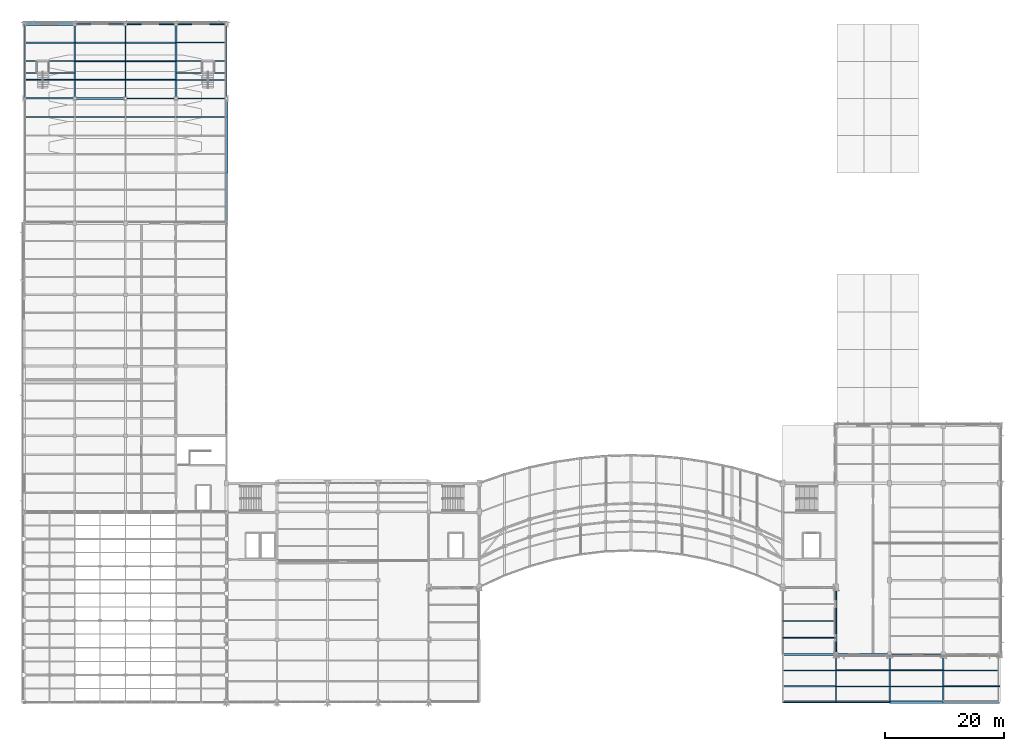
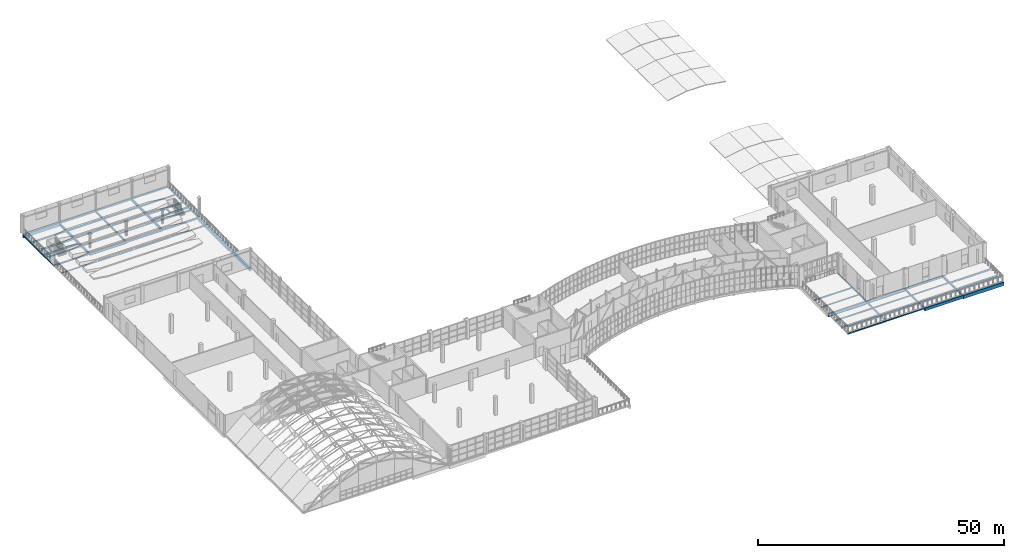
# One storey, part 51 of 86: 58 beams.
"""IFC4 building model written with IfcOpenShell, lengths in metres."""

from ifc_helpers import new_model, si_unit, direction, frame, origin, origin_2d, place, context, subcontext, project, spatial, rectangle, hollow_rectangle, i_section, extrude, material, material_profile, profile_set, type_object, element, save


model = new_model("IFC4")

# Units and contexts
model_context = context("Model", 3, precision=1e-05, world=origin(), true_north=direction((0.0, 1.0)))
body_context = subcontext(model_context, "Body", "Model", "MODEL_VIEW")
ifc_project = project(units=[si_unit("LENGTHUNIT", "METRE"), si_unit("AREAUNIT", "SQUARE_METRE"), si_unit("VOLUMEUNIT", "CUBIC_METRE"), si_unit("PLANEANGLEUNIT", "RADIAN"), si_unit("MASSUNIT", "GRAM", prefix="KILO")], contexts=[model_context])

# Site, building, storey
site_placement = place(None, origin())
site = spatial("IfcSite", under=ifc_project, at=site_placement, CompositionType="ELEMENT")
building_placement = place(site_placement, origin())
building = spatial("IfcBuilding", under=site, at=building_placement, Name="Solvikara Media Centre", CompositionType="ELEMENT")
storey_placement = place(building_placement, frame((0.0, 0.0, 15.0)))
storey = spatial("IfcBuildingStorey", under=building, at=storey_placement, Name="L03", CompositionType="ELEMENT", Elevation=15.0)

# Beams
ifc_material_1 = material(Name="Concrete fc' 35 MPa (C35/45)", Category="concrete")
ifc_material_profile_1 = material_profile(ifc_material_1, rectangle(XDim=0.39990234375, YDim=0.699951171875, at=origin_2d()), Name="RC 400x700")
ifc_profile_set_1 = profile_set([ifc_material_profile_1], Name="Concrete fc' 35 MPa (C35/45)")
beam_type_1 = type_object("IfcBeamType", Name="BM-13", PredefinedType="SPANDREL", material=ifc_profile_set_1)
beam_1_placement = place(storey_placement, frame((145.5, 0.0, -0.6201171875), z_axis=(1.0, 0.0, 0.0), x_axis=(0.0, 1.0, 0.0)))
element("IfcBeam", 1, at=beam_1_placement, inside=storey, type_object=beam_type_1, Name="B-L03-X1161", PredefinedType="SPANDREL", context=body_context, shape_type="SweptSolid", body=[
    extrude(rectangle(XDim=0.39990234375, YDim=0.699951171875, at=origin_2d()), origin(), (0.0, 0.0, 1.0), 9.0),
])
beam_2_placement = place(storey_placement, frame((34.0, 80.5, -0.6201171875), z_axis=(0.0, 1.0, 0.0), x_axis=(-1.0, 0.0, 0.0)))
element("IfcBeam", 2, at=beam_2_placement, inside=storey, type_object=beam_type_1, Name="B-L03-Y1261", PredefinedType="SPANDREL", context=body_context, shape_type="SweptSolid", body=[
    extrude(rectangle(XDim=0.39990234375, YDim=0.699951171875, at=origin_2d()), origin(), (0.0, 0.0, 1.0), 8.5),
])
ifc_material_profile_2 = material_profile(ifc_material_1, rectangle(XDim=0.449951171875, YDim=0.85009765625, at=origin_2d()), Name="RC 450x850")
ifc_profile_set_2 = profile_set([ifc_material_profile_2], Name="Concrete fc' 35 MPa (C35/45)")
beam_type_2 = type_object("IfcBeamType", Name="BM-14", PredefinedType="SPANDREL", material=ifc_profile_set_2)
beam_3_placement = place(storey_placement, frame((154.5, 0.0, -0.695068359375), z_axis=(1.0, 0.0, 0.0), x_axis=(0.0, 1.0, 0.0)))
element("IfcBeam", 3, at=beam_3_placement, inside=storey, type_object=beam_type_2, Name="B-L03-X1162", PredefinedType="SPANDREL", context=body_context, shape_type="SweptSolid", body=[
    extrude(rectangle(XDim=0.449951171875, YDim=0.85009765625, at=origin_2d()), origin(), (0.0, 0.0, 1.0), 9.5),
])
beam_4_placement = place(storey_placement, frame((0.0, 114.0, -0.695068359375), z_axis=(1.0, 0.0, 0.0), x_axis=(0.0, 1.0, 0.0)))
element("IfcBeam", 4, at=beam_4_placement, inside=storey, type_object=beam_type_2, Name="B-L03-X1218", PredefinedType="SPANDREL", context=body_context, shape_type="SweptSolid", body=[
    extrude(rectangle(XDim=0.449951171875, YDim=0.85009765625, at=origin_2d()), origin(), (0.0, 0.0, 1.0), 8.5),
])
beam_5_placement = place(storey_placement, frame((34.0, 89.0, -0.695068359375), z_axis=(0.0, 1.0, 0.0), x_axis=(-1.0, 0.0, 0.0)))
element("IfcBeam", 5, at=beam_5_placement, inside=storey, type_object=beam_type_2, Name="B-L03-Y1262", PredefinedType="SPANDREL", context=body_context, shape_type="SweptSolid", body=[
    extrude(rectangle(XDim=0.449951171875, YDim=0.85009765625, at=origin_2d()), origin(), (0.0, 0.0, 1.0), 12.5),
])
ifc_material_2 = material(Name="Steel S355JR", Category="steel")
ifc_material_profile_3 = material_profile(ifc_material_2, i_section(OverallWidth=0.300048828125, OverallDepth=0.800048828125, WebThickness=0.013916015625, FlangeThickness=0.02587890625, at=origin_2d()), Name="WF 800x300x14x26")
ifc_profile_set_3 = profile_set([ifc_material_profile_3], Name="Steel S355JR")
beam_type_3 = type_object("IfcBeamType", Name="BM-16", PredefinedType="BEAM", material=ifc_profile_set_3)
beam_6_placement = place(storey_placement, frame((127.5, 8.0, -0.672119140625), z_axis=(1.0, 0.0, 0.0), x_axis=(0.0, 1.0, 0.0)))
element("IfcBeam", 6, at=beam_6_placement, inside=storey, type_object=beam_type_3, Name="B-L03-X1163", PredefinedType="BEAM", context=body_context, shape_type="SweptSolid", body=[
    extrude(i_section(OverallWidth=0.300048828125, OverallDepth=0.800048828125, WebThickness=0.013916015625, FlangeThickness=0.02587890625, at=origin_2d()), origin(), (0.0, 0.0, 1.0), 9.0),
])
ifc_material_profile_4 = material_profile(ifc_material_2, i_section(OverallWidth=0.300048828125, OverallDepth=0.699951171875, WebThickness=0.012939453125, FlangeThickness=0.02392578125, at=origin_2d()), Name="WF 700x300x13x24")
ifc_profile_set_4 = profile_set([ifc_material_profile_4], Name="Steel S355JR")
beam_type_4 = type_object("IfcBeamType", Name="BM-17", PredefinedType="BEAM", material=ifc_profile_set_4)
beam_7_placement = place(storey_placement, frame((136.5, 8.0, -0.6220703125), z_axis=(1.0, 0.0, 0.0), x_axis=(0.0, 1.0, 0.0)))
element("IfcBeam", 7, at=beam_7_placement, inside=storey, type_object=beam_type_4, Name="B-L03-X1164", PredefinedType="BEAM", context=body_context, shape_type="SweptSolid", body=[
    extrude(i_section(OverallWidth=0.300048828125, OverallDepth=0.699951171875, WebThickness=0.012939453125, FlangeThickness=0.02392578125, at=origin_2d()), origin(), (0.0, 0.0, 1.0), 9.0),
])
ifc_material_profile_5 = material_profile(ifc_material_2, i_section(OverallWidth=0.199951171875, OverallDepth=0.5, WebThickness=0.010009765625, FlangeThickness=0.01611328125, at=origin_2d()), Name="WF 500x200x10x16")
ifc_profile_set_5 = profile_set([ifc_material_profile_5], Name="Steel S355JR")
beam_type_5 = type_object("IfcBeamType", Name="BM-19", PredefinedType="BEAM", material=ifc_profile_set_5)
beam_8_placement = place(storey_placement, frame((145.5, 8.0, -0.52197265625), z_axis=(1.0, 0.0, 0.0), x_axis=(0.0, 1.0, 0.0)))
element("IfcBeam", 8, at=beam_8_placement, inside=storey, type_object=beam_type_5, Name="B-L03-X1165", PredefinedType="BEAM", context=body_context, shape_type="SweptSolid", body=[
    extrude(i_section(OverallWidth=0.199951171875, OverallDepth=0.5, WebThickness=0.010009765625, FlangeThickness=0.01611328125, at=origin_2d()), origin(), (0.0, 0.0, 1.0), 9.0),
])
beam_9_placement = place(storey_placement, frame((145.5, 0.0, -0.52197265625), z_axis=(0.0, 1.0, 0.0), x_axis=(-1.0, 0.0, 0.0)))
element("IfcBeam", 9, at=beam_9_placement, inside=storey, type_object=beam_type_5, Name="B-L03-Y1291", PredefinedType="BEAM", context=body_context, shape_type="SweptSolid", body=[
    extrude(i_section(OverallWidth=0.199951171875, OverallDepth=0.5, WebThickness=0.010009765625, FlangeThickness=0.01611328125, at=origin_2d()), origin(), (0.0, 0.0, 1.0), 8.0),
])
ifc_material_profile_6 = material_profile(ifc_material_2, i_section(OverallWidth=0.199951171875, OverallDepth=0.449951171875, WebThickness=0.009033203125, FlangeThickness=0.013916015625, at=origin_2d()), Name="WF 450x200x9x14")
ifc_profile_set_6 = profile_set([ifc_material_profile_6], Name="Steel S355JR")
beam_type_6 = type_object("IfcBeamType", Name="BM-20", PredefinedType="BEAM", material=ifc_profile_set_6)
for number, where, z_axis, x_axis, name in (
    (10, (0.0, 105.800048828125, -0.4970703125), (1.0, 0.0, 0.0), (0.0, 1.0, 0.0), "B-VOM-AMPH-W1"),
    (11, (0.0, 107.800048828125, -0.4970703125), (1.0, 0.0, 0.0), (0.0, 1.0, 0.0), "B-VOM-AMPH-W2"),
    (12, (25.580078125, 105.800048828125, -0.4970703125), (1.0, 0.0, 0.0), (0.0, 1.0, 0.0), "B-VOM-AMPH-E1"),
    (13, (25.580078125, 107.800048828125, -0.4970703125), (1.0, 0.0, 0.0), (0.0, 1.0, 0.0), "B-VOM-AMPH-E2"),
):
    element("IfcBeam", number, at=place(storey_placement, frame(where, z_axis=z_axis, x_axis=x_axis)), inside=storey, type_object=beam_type_6, Name=name, PredefinedType="BEAM", context=body_context, shape_type="SweptSolid", body=[
        extrude(i_section(OverallWidth=0.199951171875, OverallDepth=0.449951171875, WebThickness=0.009033203125, FlangeThickness=0.013916015625, at=origin_2d()), origin(), (0.0, 0.0, 1.0), 8.419921875),
    ])
for number, where, z_axis, x_axis, name in (
    (14, (2.10009765625, 105.8798828125, -0.4970703125), (0.0, 1.0, 0.0), (-1.0, 0.0, 0.0), "BVW-ST-AMPH-W-W"),
    (15, (4.10009765625, 105.8798828125, -0.4970703125), (0.0, 1.0, 0.0), (-1.0, 0.0, 0.0), "BVW-ST-AMPH-W-E"),
    (16, (29.89990234375, 105.8798828125, -0.4970703125), (0.0, 1.0, 0.0), (-1.0, 0.0, 0.0), "BVW-ST-AMPH-E-W"),
    (17, (31.89990234375, 105.8798828125, -0.4970703125), (0.0, 1.0, 0.0), (-1.0, 0.0, 0.0), "BVW-ST-AMPH-E-E"),
):
    element("IfcBeam", number, at=place(storey_placement, frame(where, z_axis=z_axis, x_axis=x_axis)), inside=storey, type_object=beam_type_6, Name=name, PredefinedType="BEAM", context=body_context, shape_type="SweptSolid", body=[
        extrude(i_section(OverallWidth=0.199951171875, OverallDepth=0.449951171875, WebThickness=0.009033203125, FlangeThickness=0.013916015625, at=origin_2d()), origin(), (0.0, 0.0, 1.0), 1.840087890625),
    ])
ifc_material_profile_7 = material_profile(ifc_material_2, i_section(OverallWidth=0.199951171875, OverallDepth=0.39990234375, WebThickness=0.008056640625, FlangeThickness=0.012939453125, at=origin_2d()), Name="WF 400x200x8x13")
ifc_profile_set_7 = profile_set([ifc_material_profile_7], Name="Steel S355JR")
beam_type_7 = type_object("IfcBeamType", Name="BM-21", PredefinedType="JOIST", material=ifc_profile_set_7)
beam_10_placement = place(storey_placement, frame((0.0, 110.875, -0.471923828125), z_axis=(1.0, 0.0, 0.0), x_axis=(0.0, 1.0, 0.0)))
element("IfcBeam", 18, at=beam_10_placement, inside=storey, type_object=beam_type_7, Name="J-L03-1321", PredefinedType="JOIST", context=body_context, shape_type="SweptSolid", body=[
    extrude(i_section(OverallWidth=0.199951171875, OverallDepth=0.39990234375, WebThickness=0.008056640625, FlangeThickness=0.012939453125, at=origin_2d()), origin(), (0.0, 0.0, 1.0), 8.422119140625),
])
beam_11_placement = place(storey_placement, frame((17.077880859375, 110.875, -0.471923828125), z_axis=(1.0, 0.0, 0.0), x_axis=(0.0, 1.0, 0.0)))
element("IfcBeam", 19, at=beam_11_placement, inside=storey, type_object=beam_type_7, Name="J-L03-1361", PredefinedType="JOIST", context=body_context, shape_type="SweptSolid", body=[
    extrude(i_section(OverallWidth=0.199951171875, OverallDepth=0.39990234375, WebThickness=0.008056640625, FlangeThickness=0.012939453125, at=origin_2d()), origin(), (0.0, 0.0, 1.0), 8.34423828125),
])
beam_12_placement = place(storey_placement, frame((154.577880859375, 5.3330078125, -0.471923828125), z_axis=(1.0, 0.0, 0.0), x_axis=(0.0, 1.0, 0.0)))
element("IfcBeam", 20, at=beam_12_placement, inside=storey, type_object=beam_type_7, Name="J-L03-1425", PredefinedType="JOIST", context=body_context, shape_type="SweptSolid", body=[
    extrude(i_section(OverallWidth=0.199951171875, OverallDepth=0.39990234375, WebThickness=0.008056640625, FlangeThickness=0.012939453125, at=origin_2d()), origin(), (0.0, 0.0, 1.0), 9.422119140625),
])
ifc_material_profile_8 = material_profile(ifc_material_2, i_section(OverallWidth=0.175048828125, OverallDepth=0.35009765625, WebThickness=0.007080078125, FlangeThickness=0.010986328125, at=origin_2d()), Name="WF 350x175x7x11")
ifc_profile_set_8 = profile_set([ifc_material_profile_8], Name="Steel S355JR")
beam_type_8 = type_object("IfcBeamType", Name="BM-22", PredefinedType="JOIST", material=ifc_profile_set_8)
beam_13_placement = place(storey_placement, frame((8.577880859375, 98.375, -0.447021484375), z_axis=(1.0, 0.0, 0.0), x_axis=(0.0, 1.0, 0.0)))
element("IfcBeam", 21, at=beam_13_placement, inside=storey, type_object=beam_type_8, Name="J-L03-1338", PredefinedType="JOIST", context=body_context, shape_type="SweptSolid", body=[
    extrude(i_section(OverallWidth=0.175048828125, OverallDepth=0.35009765625, WebThickness=0.007080078125, FlangeThickness=0.010986328125, at=origin_2d()), origin(), (0.0, 0.0, 1.0), 8.34423828125),
])
beam_14_placement = place(storey_placement, frame((136.577880859375, 2.6669921875, -0.447021484375), z_axis=(1.0, 0.0, 0.0), x_axis=(0.0, 1.0, 0.0)))
element("IfcBeam", 22, at=beam_14_placement, inside=storey, type_object=beam_type_8, Name="J-L03-1410", PredefinedType="JOIST", context=body_context, shape_type="SweptSolid", body=[
    extrude(i_section(OverallWidth=0.175048828125, OverallDepth=0.35009765625, WebThickness=0.007080078125, FlangeThickness=0.010986328125, at=origin_2d()), origin(), (0.0, 0.0, 1.0), 8.84423828125),
])
ifc_material_profile_9 = material_profile(ifc_material_2, i_section(OverallWidth=0.14990234375, OverallDepth=0.300048828125, WebThickness=0.006591796875, FlangeThickness=0.009033203125, at=origin_2d()), Name="WF 300x150x6.5x9")
ifc_profile_set_9 = profile_set([ifc_material_profile_9], Name="Steel S355JR")
beam_type_9 = type_object("IfcBeamType", Name="BM-23", PredefinedType="JOIST", material=ifc_profile_set_9)
beam_15_placement = place(storey_placement, frame((8.577880859375, 104.625, -0.422119140625), z_axis=(1.0, 0.0, 0.0), x_axis=(0.0, 1.0, 0.0)))
element("IfcBeam", 23, at=beam_15_placement, inside=storey, type_object=beam_type_9, Name="J-L03-1339", PredefinedType="JOIST", context=body_context, shape_type="SweptSolid", body=[
    extrude(i_section(OverallWidth=0.14990234375, OverallDepth=0.300048828125, WebThickness=0.006591796875, FlangeThickness=0.009033203125, at=origin_2d()), origin(), (0.0, 0.0, 1.0), 8.34423828125),
])
beam_16_placement = place(storey_placement, frame((136.577880859375, 5.3330078125, -0.422119140625), z_axis=(1.0, 0.0, 0.0), x_axis=(0.0, 1.0, 0.0)))
element("IfcBeam", 24, at=beam_16_placement, inside=storey, type_object=beam_type_9, Name="J-L03-1411", PredefinedType="JOIST", context=body_context, shape_type="SweptSolid", body=[
    extrude(i_section(OverallWidth=0.14990234375, OverallDepth=0.300048828125, WebThickness=0.006591796875, FlangeThickness=0.009033203125, at=origin_2d()), origin(), (0.0, 0.0, 1.0), 8.84423828125),
])
ifc_material_profile_10 = material_profile(ifc_material_2, i_section(OverallWidth=0.125, OverallDepth=0.25, WebThickness=0.006103515625, FlangeThickness=0.009033203125, at=origin_2d()), Name="WF 250x125x6x9")
ifc_profile_set_10 = profile_set([ifc_material_profile_10], Name="Steel S355JR")
beam_type_10 = type_object("IfcBeamType", Name="BM-24", PredefinedType="JOIST", material=ifc_profile_set_10)
for number, where, z_axis, x_axis, name in (
    (25, (8.577880859375, 107.75, -0.39697265625), (1.0, 0.0, 0.0), (0.0, 1.0, 0.0), "J-L03-1340"),
    (26, (25.577880859375, 98.375, -0.39697265625), (1.0, 0.0, 0.0), (0.0, 1.0, 0.0), "J-L03-1372"),
):
    element("IfcBeam", number, at=place(storey_placement, frame(where, z_axis=z_axis, x_axis=x_axis)), inside=storey, type_object=beam_type_10, Name=name, PredefinedType="JOIST", context=body_context, shape_type="SweptSolid", body=[
        extrude(i_section(OverallWidth=0.125, OverallDepth=0.25, WebThickness=0.006103515625, FlangeThickness=0.009033203125, at=origin_2d()), origin(), (0.0, 0.0, 1.0), 8.34423828125),
    ])
ifc_material_profile_11 = material_profile(ifc_material_2, i_section(OverallWidth=0.300048828125, OverallDepth=0.587890625, WebThickness=0.011962890625, FlangeThickness=0.02001953125, at=origin_2d()), Name="H 588x300x12x20")
ifc_profile_set_11 = profile_set([ifc_material_profile_11], Name="Steel S355JR")
beam_type_11 = type_object("IfcBeamType", Name="BM-26", PredefinedType="BEAM", material=ifc_profile_set_11)
for number, where, z_axis, x_axis, name in (
    (27, (8.5, 101.5, -0.56591796875), (0.0, 1.0, 0.0), (-1.0, 0.0, 0.0), "B-L03-Y1238"),
    (28, (25.5, 101.5, -0.56591796875), (0.0, 1.0, 0.0), (-1.0, 0.0, 0.0), "B-L03-Y1252"),
):
    element("IfcBeam", number, at=place(storey_placement, frame(where, z_axis=z_axis, x_axis=x_axis)), inside=storey, type_object=beam_type_11, Name=name, PredefinedType="BEAM", context=body_context, shape_type="SweptSolid", body=[
        extrude(i_section(OverallWidth=0.300048828125, OverallDepth=0.587890625, WebThickness=0.011962890625, FlangeThickness=0.02001953125, at=origin_2d()), origin(), (0.0, 0.0, 1.0), 12.5),
    ])
ifc_material_profile_12 = material_profile(ifc_material_2, i_section(OverallWidth=0.300048828125, OverallDepth=0.488037109375, WebThickness=0.010986328125, FlangeThickness=0.01806640625, at=origin_2d()), Name="H 488x300x11x18")
ifc_profile_set_12 = profile_set([ifc_material_profile_12], Name="Steel S355JR")
beam_type_12 = type_object("IfcBeamType", Name="BM-27", PredefinedType="BEAM", material=ifc_profile_set_12)
beam_17_placement = place(storey_placement, frame((154.5, 0.0, -0.51611328125), z_axis=(0.0, 1.0, 0.0), x_axis=(-1.0, 0.0, 0.0)))
element("IfcBeam", 29, at=beam_17_placement, inside=storey, type_object=beam_type_12, Name="B-L03-Y1295", PredefinedType="BEAM", context=body_context, shape_type="SweptSolid", body=[
    extrude(i_section(OverallWidth=0.300048828125, OverallDepth=0.488037109375, WebThickness=0.010986328125, FlangeThickness=0.01806640625, at=origin_2d()), origin(), (0.0, 0.0, 1.0), 8.0),
])
ifc_material_profile_13 = material_profile(ifc_material_2, i_section(OverallWidth=0.25, OverallDepth=0.340087890625, WebThickness=0.009033203125, FlangeThickness=0.013916015625, at=origin_2d()), Name="H 340x250x9x14")
ifc_profile_set_13 = profile_set([ifc_material_profile_13], Name="Steel S355JR")
beam_type_13 = type_object("IfcBeamType", Name="BM-30", PredefinedType="BEAM", material=ifc_profile_set_13)
beam_18_placement = place(storey_placement, frame((0.0, 101.5, -0.44189453125), z_axis=(1.0, 0.0, 0.0), x_axis=(0.0, 1.0, 0.0)))
element("IfcBeam", 30, at=beam_18_placement, inside=storey, type_object=beam_type_13, Name="B-L03-X1214", PredefinedType="BEAM", context=body_context, shape_type="SweptSolid", body=[
    extrude(i_section(OverallWidth=0.25, OverallDepth=0.340087890625, WebThickness=0.009033203125, FlangeThickness=0.013916015625, at=origin_2d()), origin(), (0.0, 0.0, 1.0), 8.5),
])
ifc_material_profile_14 = material_profile(ifc_material_2, hollow_rectangle(XDim=0.199951171875, YDim=0.39990234375, WallThickness=0.011962890625, at=origin_2d()), Name="RHS 400x200x12")
ifc_profile_set_14 = profile_set([ifc_material_profile_14], Name="Steel S355JR")
beam_type_14 = type_object("IfcBeamType", Name="BM-33", PredefinedType="SPANDREL", material=ifc_profile_set_14)
beam_19_placement = place(storey_placement, frame((8.5, 114.0, -0.471923828125), z_axis=(1.0, 0.0, 0.0), x_axis=(0.0, 1.0, 0.0)))
element("IfcBeam", 31, at=beam_19_placement, inside=storey, type_object=beam_type_14, Name="B-L03-X1219", PredefinedType="SPANDREL", context=body_context, shape_type="SweptSolid", body=[
    extrude(hollow_rectangle(XDim=0.199951171875, YDim=0.39990234375, WallThickness=0.011962890625, at=origin_2d()), origin(), (0.0, 0.0, 1.0), 8.5),
])
beam_20_placement = place(storey_placement, frame((34.0, 101.5, -0.471923828125), z_axis=(0.0, 1.0, 0.0), x_axis=(-1.0, 0.0, 0.0)))
element("IfcBeam", 32, at=beam_20_placement, inside=storey, type_object=beam_type_14, Name="B-L03-Y1263", PredefinedType="SPANDREL", context=body_context, shape_type="SweptSolid", body=[
    extrude(hollow_rectangle(XDim=0.199951171875, YDim=0.39990234375, WallThickness=0.011962890625, at=origin_2d()), origin(), (0.0, 0.0, 1.0), 12.5),
])
beam_21_placement = place(storey_placement, frame((136.5, 0.0, -0.471923828125), z_axis=(0.0, 1.0, 0.0), x_axis=(-1.0, 0.0, 0.0)))
element("IfcBeam", 33, at=beam_21_placement, inside=storey, type_object=beam_type_14, Name="B-L03-Y1287", PredefinedType="SPANDREL", context=body_context, shape_type="SweptSolid", body=[
    extrude(hollow_rectangle(XDim=0.199951171875, YDim=0.39990234375, WallThickness=0.011962890625, at=origin_2d()), origin(), (0.0, 0.0, 1.0), 8.0),
])
ifc_material_profile_15 = material_profile(ifc_material_2, hollow_rectangle(XDim=0.175048828125, YDim=0.35009765625, WallThickness=0.010009765625, at=origin_2d()), Name="RHS 350x175x10")
ifc_profile_set_15 = profile_set([ifc_material_profile_15], Name="Steel S355JR")
beam_type_15 = type_object("IfcBeamType", Name="BM-34", PredefinedType="SPANDREL", material=ifc_profile_set_15)
beam_22_placement = place(storey_placement, frame((17.0, 114.0, -0.447021484375), z_axis=(1.0, 0.0, 0.0), x_axis=(0.0, 1.0, 0.0)))
element("IfcBeam", 34, at=beam_22_placement, inside=storey, type_object=beam_type_15, Name="B-L03-X1220", PredefinedType="SPANDREL", context=body_context, shape_type="SweptSolid", body=[
    extrude(hollow_rectangle(XDim=0.175048828125, YDim=0.35009765625, WallThickness=0.010009765625, at=origin_2d()), origin(), (0.0, 0.0, 1.0), 8.5),
])
beam_23_placement = place(storey_placement, frame((136.5, 8.0, -0.447021484375), z_axis=(0.0, 1.0, 0.0), x_axis=(-1.0, 0.0, 0.0)))
element("IfcBeam", 35, at=beam_23_placement, inside=storey, type_object=beam_type_15, Name="B-L03-Y1288", PredefinedType="SPANDREL", context=body_context, shape_type="SweptSolid", body=[
    extrude(hollow_rectangle(XDim=0.175048828125, YDim=0.35009765625, WallThickness=0.010009765625, at=origin_2d()), origin(), (0.0, 0.0, 1.0), 11.323974609375),
])
ifc_material_profile_16 = material_profile(ifc_material_2, hollow_rectangle(XDim=0.14990234375, YDim=0.300048828125, WallThickness=0.010009765625, at=origin_2d()), Name="RHS 300x150x10")
ifc_profile_set_16 = profile_set([ifc_material_profile_16], Name="Steel S355JR")
beam_type_16 = type_object("IfcBeamType", Name="BM-35", PredefinedType="BEAM", material=ifc_profile_set_16)
beam_24_placement = place(storey_placement, frame((25.5, 114.0, -0.422119140625), z_axis=(1.0, 0.0, 0.0), x_axis=(0.0, 1.0, 0.0)))
element("IfcBeam", 36, at=beam_24_placement, inside=storey, type_object=beam_type_16, Name="B-L03-X1221", PredefinedType="BEAM", context=body_context, shape_type="SweptSolid", body=[
    extrude(hollow_rectangle(XDim=0.14990234375, YDim=0.300048828125, WallThickness=0.010009765625, at=origin_2d()), origin(), (0.0, 0.0, 1.0), 8.5),
])
ifc_material_profile_17 = material_profile(ifc_material_2, i_section(OverallWidth=0.198974609375, OverallDepth=0.39599609375, WebThickness=0.007080078125, FlangeThickness=0.010986328125, at=origin_2d()), Name="WF 396x199x7x11")
ifc_profile_set_17 = profile_set([ifc_material_profile_17], Name="Steel S355JR")
beam_type_17 = type_object("IfcBeamType", Name="BM-37", PredefinedType="JOIST", material=ifc_profile_set_17)
for number, where, z_axis, x_axis, name in (
    (37, (8.577880859375, 110.875, -0.469970703125), (1.0, 0.0, 0.0), (0.0, 1.0, 0.0), "J-L03-1341"),
    (38, (25.577880859375, 104.625, -0.469970703125), (1.0, 0.0, 0.0), (0.0, 1.0, 0.0), "J-L03-1373"),
):
    element("IfcBeam", number, at=place(storey_placement, frame(where, z_axis=z_axis, x_axis=x_axis)), inside=storey, type_object=beam_type_17, Name=name, PredefinedType="JOIST", context=body_context, shape_type="SweptSolid", body=[
        extrude(i_section(OverallWidth=0.198974609375, OverallDepth=0.39599609375, WebThickness=0.007080078125, FlangeThickness=0.010986328125, at=origin_2d()), origin(), (0.0, 0.0, 1.0), 8.34423828125),
    ])
beam_25_placement = place(storey_placement, frame((127.5, 2.6669921875, -0.469970703125), z_axis=(1.0, 0.0, 0.0), x_axis=(0.0, 1.0, 0.0)))
element("IfcBeam", 39, at=beam_25_placement, inside=storey, type_object=beam_type_17, Name="J-L03-1405", PredefinedType="JOIST", context=body_context, shape_type="SweptSolid", body=[
    extrude(i_section(OverallWidth=0.198974609375, OverallDepth=0.39599609375, WebThickness=0.007080078125, FlangeThickness=0.010986328125, at=origin_2d()), origin(), (0.0, 0.0, 1.0), 8.922119140625),
])
ifc_material_profile_18 = material_profile(ifc_material_2, i_section(OverallWidth=0.174072265625, OverallDepth=0.345947265625, WebThickness=0.006103515625, FlangeThickness=0.009033203125, at=origin_2d()), Name="WF 346x174x6x9")
ifc_profile_set_18 = profile_set([ifc_material_profile_18], Name="Steel S355JR")
beam_type_18 = type_object("IfcBeamType", Name="BM-38", PredefinedType="JOIST", material=ifc_profile_set_18)
for number, where, z_axis, x_axis, name in (
    (40, (17.077880859375, 98.375, -0.445068359375), (1.0, 0.0, 0.0), (0.0, 1.0, 0.0), "J-L03-1358"),
    (41, (25.577880859375, 110.875, -0.445068359375), (1.0, 0.0, 0.0), (0.0, 1.0, 0.0), "J-L03-1374"),
):
    element("IfcBeam", number, at=place(storey_placement, frame(where, z_axis=z_axis, x_axis=x_axis)), inside=storey, type_object=beam_type_18, Name=name, PredefinedType="JOIST", context=body_context, shape_type="SweptSolid", body=[
        extrude(i_section(OverallWidth=0.174072265625, OverallDepth=0.345947265625, WebThickness=0.006103515625, FlangeThickness=0.009033203125, at=origin_2d()), origin(), (0.0, 0.0, 1.0), 8.34423828125),
    ])
beam_26_placement = place(storey_placement, frame((127.5, 5.3330078125, -0.445068359375), z_axis=(1.0, 0.0, 0.0), x_axis=(0.0, 1.0, 0.0)))
element("IfcBeam", 42, at=beam_26_placement, inside=storey, type_object=beam_type_18, Name="J-L03-1406", PredefinedType="JOIST", context=body_context, shape_type="SweptSolid", body=[
    extrude(i_section(OverallWidth=0.174072265625, OverallDepth=0.345947265625, WebThickness=0.006103515625, FlangeThickness=0.009033203125, at=origin_2d()), origin(), (0.0, 0.0, 1.0), 8.922119140625),
])
beam_27_placement = place(storey_placement, frame((145.577880859375, 2.6669921875, -0.445068359375), z_axis=(1.0, 0.0, 0.0), x_axis=(0.0, 1.0, 0.0)))
element("IfcBeam", 43, at=beam_27_placement, inside=storey, type_object=beam_type_18, Name="J-L03-1414", PredefinedType="JOIST", context=body_context, shape_type="SweptSolid", body=[
    extrude(i_section(OverallWidth=0.174072265625, OverallDepth=0.345947265625, WebThickness=0.006103515625, FlangeThickness=0.009033203125, at=origin_2d()), origin(), (0.0, 0.0, 1.0), 8.84423828125),
])
ifc_material_profile_19 = material_profile(ifc_material_2, i_section(OverallWidth=0.14892578125, OverallDepth=0.298095703125, WebThickness=0.005615234375, FlangeThickness=0.008056640625, at=origin_2d()), Name="WF 298x149x5.5x8")
ifc_profile_set_19 = profile_set([ifc_material_profile_19], Name="Steel S355JR")
beam_type_19 = type_object("IfcBeamType", Name="BM-39", PredefinedType="JOIST", material=ifc_profile_set_19)
beam_28_placement = place(storey_placement, frame((0.0, 98.375, -0.4208984375), z_axis=(1.0, 0.0, 0.0), x_axis=(0.0, 1.0, 0.0)))
element("IfcBeam", 44, at=beam_28_placement, inside=storey, type_object=beam_type_19, Name="J-L03-1319", PredefinedType="JOIST", context=body_context, shape_type="SweptSolid", body=[
    extrude(i_section(OverallWidth=0.14892578125, OverallDepth=0.298095703125, WebThickness=0.005615234375, FlangeThickness=0.008056640625, at=origin_2d()), origin(), (0.0, 0.0, 1.0), 8.422119140625),
])
beam_29_placement = place(storey_placement, frame((17.077880859375, 104.625, -0.4208984375), z_axis=(1.0, 0.0, 0.0), x_axis=(0.0, 1.0, 0.0)))
element("IfcBeam", 45, at=beam_29_placement, inside=storey, type_object=beam_type_19, Name="J-L03-1359", PredefinedType="JOIST", context=body_context, shape_type="SweptSolid", body=[
    extrude(i_section(OverallWidth=0.14892578125, OverallDepth=0.298095703125, WebThickness=0.005615234375, FlangeThickness=0.008056640625, at=origin_2d()), origin(), (0.0, 0.0, 1.0), 8.34423828125),
])
beam_30_placement = place(storey_placement, frame((127.5, 10.8310546875, -0.4208984375), z_axis=(1.0, 0.0, 0.0), x_axis=(0.0, 1.0, 0.0)))
element("IfcBeam", 46, at=beam_30_placement, inside=storey, type_object=beam_type_19, Name="J-L03-1407", PredefinedType="JOIST", context=body_context, shape_type="SweptSolid", body=[
    extrude(i_section(OverallWidth=0.14892578125, OverallDepth=0.298095703125, WebThickness=0.005615234375, FlangeThickness=0.008056640625, at=origin_2d()), origin(), (0.0, 0.0, 1.0), 8.922119140625),
])
beam_31_placement = place(storey_placement, frame((145.577880859375, 5.3330078125, -0.4208984375), z_axis=(1.0, 0.0, 0.0), x_axis=(0.0, 1.0, 0.0)))
element("IfcBeam", 47, at=beam_31_placement, inside=storey, type_object=beam_type_19, Name="J-L03-1415", PredefinedType="JOIST", context=body_context, shape_type="SweptSolid", body=[
    extrude(i_section(OverallWidth=0.14892578125, OverallDepth=0.298095703125, WebThickness=0.005615234375, FlangeThickness=0.008056640625, at=origin_2d()), origin(), (0.0, 0.0, 1.0), 8.84423828125),
])
ifc_material_profile_20 = material_profile(ifc_material_2, i_section(OverallWidth=0.1240234375, OverallDepth=0.248046875, WebThickness=0.0048828125, FlangeThickness=0.008056640625, at=origin_2d()), Name="WF 248x124x5x8")
ifc_profile_set_20 = profile_set([ifc_material_profile_20], Name="Steel S355JR")
beam_type_20 = type_object("IfcBeamType", Name="BM-40", PredefinedType="JOIST", material=ifc_profile_set_20)
beam_32_placement = place(storey_placement, frame((0.0, 104.625, -0.39599609375), z_axis=(1.0, 0.0, 0.0), x_axis=(0.0, 1.0, 0.0)))
element("IfcBeam", 48, at=beam_32_placement, inside=storey, type_object=beam_type_20, Name="J-L03-1320", PredefinedType="JOIST", context=body_context, shape_type="SweptSolid", body=[
    extrude(i_section(OverallWidth=0.1240234375, OverallDepth=0.248046875, WebThickness=0.0048828125, FlangeThickness=0.008056640625, at=origin_2d()), origin(), (0.0, 0.0, 1.0), 8.422119140625),
])
beam_33_placement = place(storey_placement, frame((17.077880859375, 107.75, -0.39599609375), z_axis=(1.0, 0.0, 0.0), x_axis=(0.0, 1.0, 0.0)))
element("IfcBeam", 49, at=beam_33_placement, inside=storey, type_object=beam_type_20, Name="J-L03-1360", PredefinedType="JOIST", context=body_context, shape_type="SweptSolid", body=[
    extrude(i_section(OverallWidth=0.1240234375, OverallDepth=0.248046875, WebThickness=0.0048828125, FlangeThickness=0.008056640625, at=origin_2d()), origin(), (0.0, 0.0, 1.0), 8.34423828125),
])
beam_34_placement = place(storey_placement, frame((127.5, 13.662109375, -0.39599609375), z_axis=(1.0, 0.0, 0.0), x_axis=(0.0, 1.0, 0.0)))
element("IfcBeam", 50, at=beam_34_placement, inside=storey, type_object=beam_type_20, Name="J-L03-1408", PredefinedType="JOIST", context=body_context, shape_type="SweptSolid", body=[
    extrude(i_section(OverallWidth=0.1240234375, OverallDepth=0.248046875, WebThickness=0.0048828125, FlangeThickness=0.008056640625, at=origin_2d()), origin(), (0.0, 0.0, 1.0), 8.922119140625),
])
beam_35_placement = place(storey_placement, frame((154.577880859375, 2.6669921875, -0.39599609375), z_axis=(1.0, 0.0, 0.0), x_axis=(0.0, 1.0, 0.0)))
element("IfcBeam", 51, at=beam_35_placement, inside=storey, type_object=beam_type_20, Name="J-L03-1424", PredefinedType="JOIST", context=body_context, shape_type="SweptSolid", body=[
    extrude(i_section(OverallWidth=0.1240234375, OverallDepth=0.248046875, WebThickness=0.0048828125, FlangeThickness=0.008056640625, at=origin_2d()), origin(), (0.0, 0.0, 1.0), 9.422119140625),
])
ifc_material_profile_21 = material_profile(ifc_material_2, i_section(OverallWidth=0.302001953125, OverallDepth=0.593994140625, WebThickness=0.013916015625, FlangeThickness=0.02294921875, at=origin_2d()), Name="H 594x302x14x23")
ifc_profile_set_21 = profile_set([ifc_material_profile_21], Name="Steel S355JR")
beam_type_21 = type_object("IfcBeamType", Name="BM-41", PredefinedType="BEAM", material=ifc_profile_set_21)
beam_36_placement = place(storey_placement, frame((8.5, 101.5, -0.569091796875), z_axis=(1.0, 0.0, 0.0), x_axis=(0.0, 1.0, 0.0)))
element("IfcBeam", 52, at=beam_36_placement, inside=storey, type_object=beam_type_21, Name="B-L03-X1215", PredefinedType="BEAM", context=body_context, shape_type="SweptSolid", body=[
    extrude(i_section(OverallWidth=0.302001953125, OverallDepth=0.593994140625, WebThickness=0.013916015625, FlangeThickness=0.02294921875, at=origin_2d()), origin(), (0.0, 0.0, 1.0), 8.5),
])
ifc_material_profile_22 = material_profile(ifc_material_2, i_section(OverallWidth=0.198974609375, OverallDepth=0.49609375, WebThickness=0.009033203125, FlangeThickness=0.013916015625, at=origin_2d()), Name="H 496x199x9x14")
ifc_profile_set_22 = profile_set([ifc_material_profile_22], Name="Steel S355JR")
beam_type_22 = type_object("IfcBeamType", Name="BM-42", PredefinedType="BEAM", material=ifc_profile_set_22)
beam_37_placement = place(storey_placement, frame((17.0, 101.5, -0.52001953125), z_axis=(1.0, 0.0, 0.0), x_axis=(0.0, 1.0, 0.0)))
element("IfcBeam", 53, at=beam_37_placement, inside=storey, type_object=beam_type_22, Name="B-L03-X1216", PredefinedType="BEAM", context=body_context, shape_type="SweptSolid", body=[
    extrude(i_section(OverallWidth=0.198974609375, OverallDepth=0.49609375, WebThickness=0.009033203125, FlangeThickness=0.013916015625, at=origin_2d()), origin(), (0.0, 0.0, 1.0), 8.5),
])
ifc_material_profile_23 = material_profile(ifc_material_2, i_section(OverallWidth=0.198974609375, OverallDepth=0.446044921875, WebThickness=0.008056640625, FlangeThickness=0.011962890625, at=origin_2d()), Name="H 446x199x8x12")
ifc_profile_set_23 = profile_set([ifc_material_profile_23], Name="Steel S355JR")
beam_type_23 = type_object("IfcBeamType", Name="BM-43", PredefinedType="BEAM", material=ifc_profile_set_23)
beam_38_placement = place(storey_placement, frame((25.5, 101.5, -0.4951171875), z_axis=(1.0, 0.0, 0.0), x_axis=(0.0, 1.0, 0.0)))
element("IfcBeam", 54, at=beam_38_placement, inside=storey, type_object=beam_type_23, Name="B-L03-X1217", PredefinedType="BEAM", context=body_context, shape_type="SweptSolid", body=[
    extrude(i_section(OverallWidth=0.198974609375, OverallDepth=0.446044921875, WebThickness=0.008056640625, FlangeThickness=0.011962890625, at=origin_2d()), origin(), (0.0, 0.0, 1.0), 8.5),
])
beam_39_placement = place(storey_placement, frame((17.0, 101.5, -0.4951171875), z_axis=(0.0, 1.0, 0.0), x_axis=(-1.0, 0.0, 0.0)))
element("IfcBeam", 55, at=beam_39_placement, inside=storey, type_object=beam_type_23, Name="B-L03-Y1245", PredefinedType="BEAM", context=body_context, shape_type="SweptSolid", body=[
    extrude(i_section(OverallWidth=0.198974609375, OverallDepth=0.446044921875, WebThickness=0.008056640625, FlangeThickness=0.011962890625, at=origin_2d()), origin(), (0.0, 0.0, 1.0), 12.5),
])
ifc_material_profile_24 = material_profile(ifc_material_2, hollow_rectangle(XDim=0.159912109375, YDim=0.320068359375, WallThickness=0.010009765625, at=origin_2d()), Name="RHS 320x160x10")
ifc_profile_set_24 = profile_set([ifc_material_profile_24], Name="Steel S355JR")
beam_type_24 = type_object("IfcBeamType", Name="BM-45", PredefinedType="SPANDREL", material=ifc_profile_set_24)
beam_40_placement = place(storey_placement, frame((127.5, 0.0, -0.431884765625), z_axis=(1.0, 0.0, 0.0), x_axis=(0.0, 1.0, 0.0)))
element("IfcBeam", 56, at=beam_40_placement, inside=storey, type_object=beam_type_24, Name="B-L03-X1159", PredefinedType="SPANDREL", context=body_context, shape_type="SweptSolid", body=[
    extrude(hollow_rectangle(XDim=0.159912109375, YDim=0.320068359375, WallThickness=0.010009765625, at=origin_2d()), origin(), (0.0, 0.0, 1.0), 9.0),
])
beam_41_placement = place(storey_placement, frame((0.0, 101.5, -0.431884765625), z_axis=(0.0, 1.0, 0.0), x_axis=(-1.0, 0.0, 0.0)))
element("IfcBeam", 57, at=beam_41_placement, inside=storey, type_object=beam_type_24, Name="B-L03-Y1231", PredefinedType="SPANDREL", context=body_context, shape_type="SweptSolid", body=[
    extrude(hollow_rectangle(XDim=0.159912109375, YDim=0.320068359375, WallThickness=0.010009765625, at=origin_2d()), origin(), (0.0, 0.0, 1.0), 12.5),
])
ifc_material_profile_25 = material_profile(ifc_material_2, hollow_rectangle(XDim=0.139892578125, YDim=0.280029296875, WallThickness=0.008056640625, at=origin_2d()), Name="RHS 280x140x8")
ifc_profile_set_25 = profile_set([ifc_material_profile_25], Name="Steel S355JR")
beam_type_25 = type_object("IfcBeamType", Name="BM-46", PredefinedType="SPANDREL", material=ifc_profile_set_25)
beam_42_placement = place(storey_placement, frame((136.5, 0.0, -0.412109375), z_axis=(1.0, 0.0, 0.0), x_axis=(0.0, 1.0, 0.0)))
element("IfcBeam", 58, at=beam_42_placement, inside=storey, type_object=beam_type_25, Name="B-L03-X1160", PredefinedType="SPANDREL", context=body_context, shape_type="SweptSolid", body=[
    extrude(hollow_rectangle(XDim=0.139892578125, YDim=0.280029296875, WallThickness=0.008056640625, at=origin_2d()), origin(), (0.0, 0.0, 1.0), 9.0),
])

save(model, "model.ifc")
